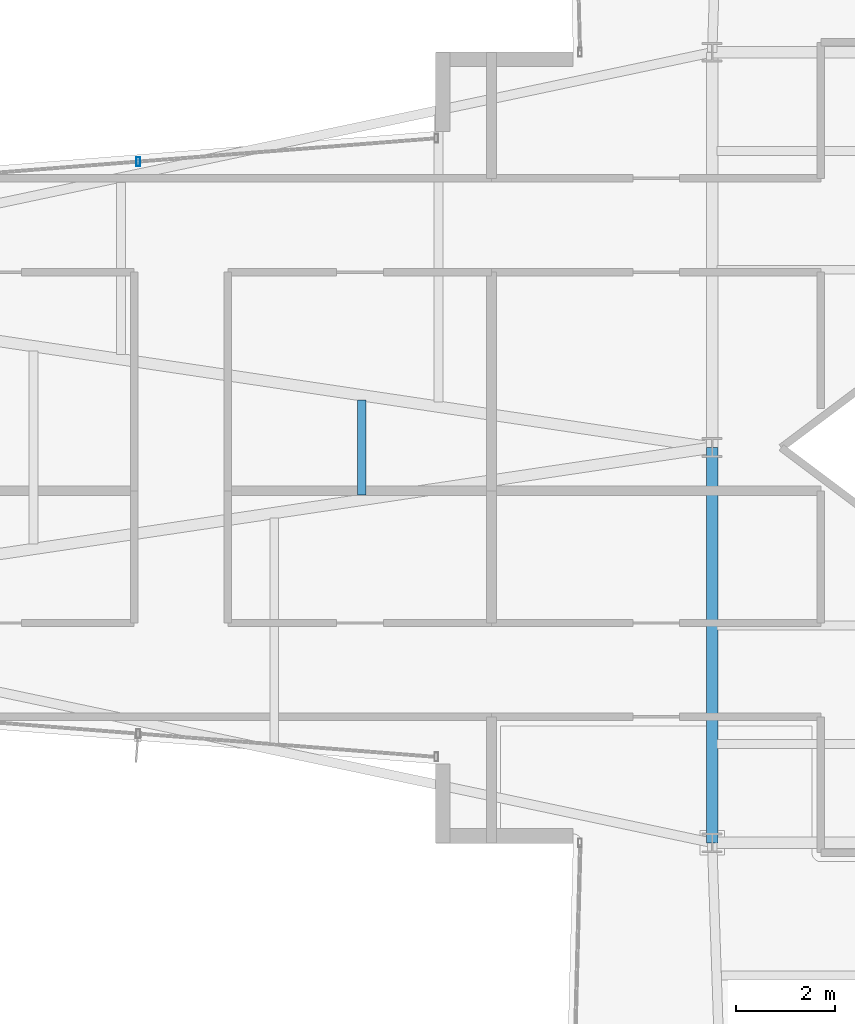
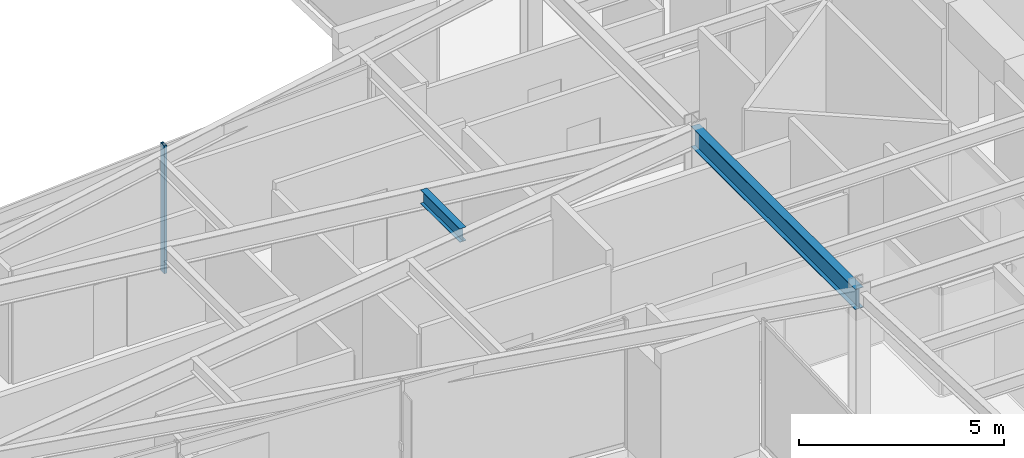
# One storey, part 11 of 31: 2 beams, 1 member, 1 element without a shape of its own.
"""IFC4 building model written with IfcOpenShell, lengths in metres."""

from ifc_helpers import new_model, si_unit, direction, frame, origin, origin_2d, place, context, subcontext, project, spatial, hollow_rectangle, i_section, extrude, material, layer, layer_set, material_profile, profile_set, type_object, element, aggregate, save


model = new_model("IFC4")

# Units and contexts
model_context = context("Model", 3, precision=1e-05, world=origin(), true_north=direction((0.0, 1.0)))
body_context = subcontext(model_context, "Body", "Model", "MODEL_VIEW")
ifc_project = project(units=[si_unit("LENGTHUNIT", "METRE"), si_unit("AREAUNIT", "SQUARE_METRE"), si_unit("VOLUMEUNIT", "CUBIC_METRE"), si_unit("PLANEANGLEUNIT", "RADIAN"), si_unit("MASSUNIT", "GRAM", prefix="KILO")], contexts=[model_context])

# Site, building, storey
site_placement = place(None, origin())
site = spatial("IfcSite", under=ifc_project, at=site_placement, CompositionType="ELEMENT")
building_placement = place(site_placement, origin())
building = spatial("IfcBuilding", under=site, at=building_placement, Name="Veymaron Broadcast Tower", CompositionType="ELEMENT")
storey_placement = place(building_placement, frame((0.0, 0.0, 70.199951171875)))
storey = spatial("IfcBuildingStorey", under=building, at=storey_placement, Name="L15", CompositionType="ELEMENT", Elevation=70.199951171875)

# Beams
ifc_material_1 = material(Name="Structural steel ASTM A992 Gr 50", Category="steel")
ifc_material_profile_1 = material_profile(ifc_material_1, i_section(OverallWidth=0.22998046875, OverallDepth=0.616943359375, WebThickness=0.01318359375, FlangeThickness=0.022216796875, at=origin_2d()), Name="W610X140")
ifc_profile_set_1 = profile_set([ifc_material_profile_1], Name="Structural steel ASTM A992 Gr 50")
beam_type_1 = type_object("IfcBeamType", Name="BM-FG1", PredefinedType="BEAM", material=ifc_profile_set_1)
beam_1_placement = place(storey_placement, frame((31.199951171875, 16.0, 3.50146484375), z_axis=(0.0, 1.0, 0.0), x_axis=(-1.0, 0.0, 0.0)))
element("IfcBeam", 1, at=beam_1_placement, inside=storey, type_object=beam_type_1, Name="L15 primary structural floor girder", PredefinedType="BEAM", context=body_context, shape_type="SweptSolid", body=[
    extrude(i_section(OverallWidth=0.22998046875, OverallDepth=0.616943359375, WebThickness=0.01318359375, FlangeThickness=0.022216796875, at=origin_2d()), origin(), (0.0, 0.0, 1.0), 8.0),
])
ifc_material_profile_2 = material_profile(ifc_material_1, i_section(OverallWidth=0.177978515625, OverallDepth=0.406982421875, WebThickness=0.0078125, FlangeThickness=0.0126953125, at=origin_2d()), Name="W410X60")
ifc_profile_set_2 = profile_set([ifc_material_profile_2], Name="Structural steel ASTM A992 Gr 50")
beam_type_2 = type_object("IfcBeamType", Name="BM-JS1", PredefinedType="JOIST", material=ifc_profile_set_2)
beam_2_placement = place(storey_placement, frame((24.109375, 23.040771484375, 3.6064453125), z_axis=(0.0, 1.0, 0.0), x_axis=(-1.0, 0.0, 0.0)))
element("IfcBeam", 2, at=beam_2_placement, inside=storey, type_object=beam_type_2, Name="L15 Arm-A secondary joist 2M", PredefinedType="JOIST", context=body_context, shape_type="SweptSolid", body=[
    extrude(i_section(OverallWidth=0.177978515625, OverallDepth=0.406982421875, WebThickness=0.0078125, FlangeThickness=0.0126953125, at=origin_2d()), origin(), (0.0, 0.0, 1.0), 1.91845703125),
])

# Curtain wall, member
ifc_material_2 = material(Name="Anodised aluminium AA 6063-T6 and laminated low-E dark glass", Category="aluminium")
ifc_layer = layer(ifc_material_2, 0.179931640625)
ifc_layer_set = layer_set([ifc_layer], Name="Anodised aluminium AA 6063-T6 and laminated low-E dark glass")
curtain_wall_type = type_object("IfcCurtainWallType", Name="CW-SYS-02", PredefinedType="NOTDEFINED", material=ifc_layer_set)
curtain_wall_placement = place(storey_placement, origin())
curtain_wall = element("IfcCurtainWall", 3, at=curtain_wall_placement, inside=storey, type_object=curtain_wall_type, Name="L15 dark-glass curtain wall CW-L15-E11-1", PredefinedType="NOTDEFINED")
ifc_material_3 = material(Name="Anodised aluminium AA 6063-T6", Category="aluminium")
ifc_material_profile_3 = material_profile(ifc_material_3, hollow_rectangle(XDim=0.074951171875, YDim=0.179931640625, WallThickness=0.0048828125, at=origin_2d()), Name="AL180X75X5")
ifc_profile_set_3 = profile_set([ifc_material_profile_3], Name="Anodised aluminium AA 6063-T6")
member_type = type_object("IfcMemberType", Name="CW-MUL-02", PredefinedType="MULLION", material=ifc_profile_set_3)
member_placement = place(storey_placement, frame((19.5830078125, 29.788330078125, 0.0), z_axis=(0.0, 0.0, 1.0), x_axis=(1.0, 0.0, 0.0)))
member = element("IfcMember", 4, at=member_placement, type_object=member_type, Name="CW-L15-E11-1 mullion 1", PredefinedType="MULLION", context=body_context, shape_type="SweptSolid", body=[
    extrude(hollow_rectangle(XDim=0.074951171875, YDim=0.179931640625, WallThickness=0.0048828125, at=origin_2d()), origin(), (0.0, 0.0, 1.0), 3.81005859375),
])
aggregate(curtain_wall, [member])

save(model, "model.ifc")
